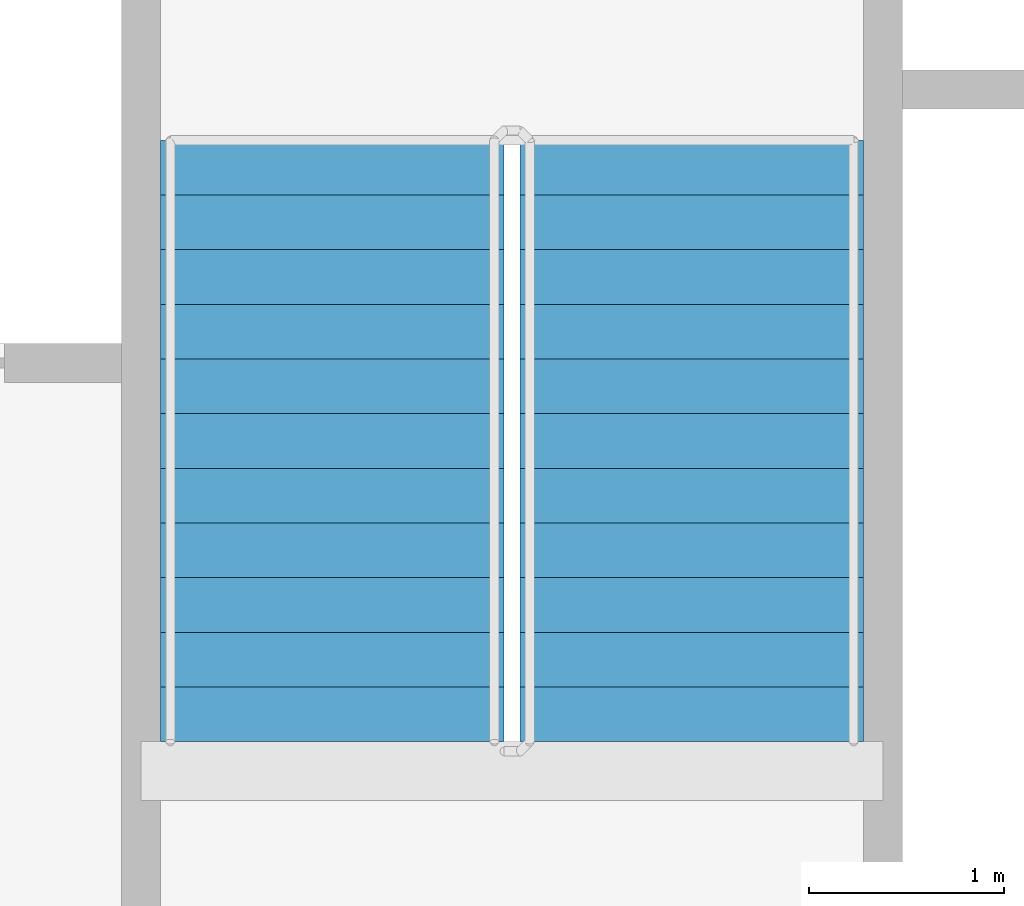
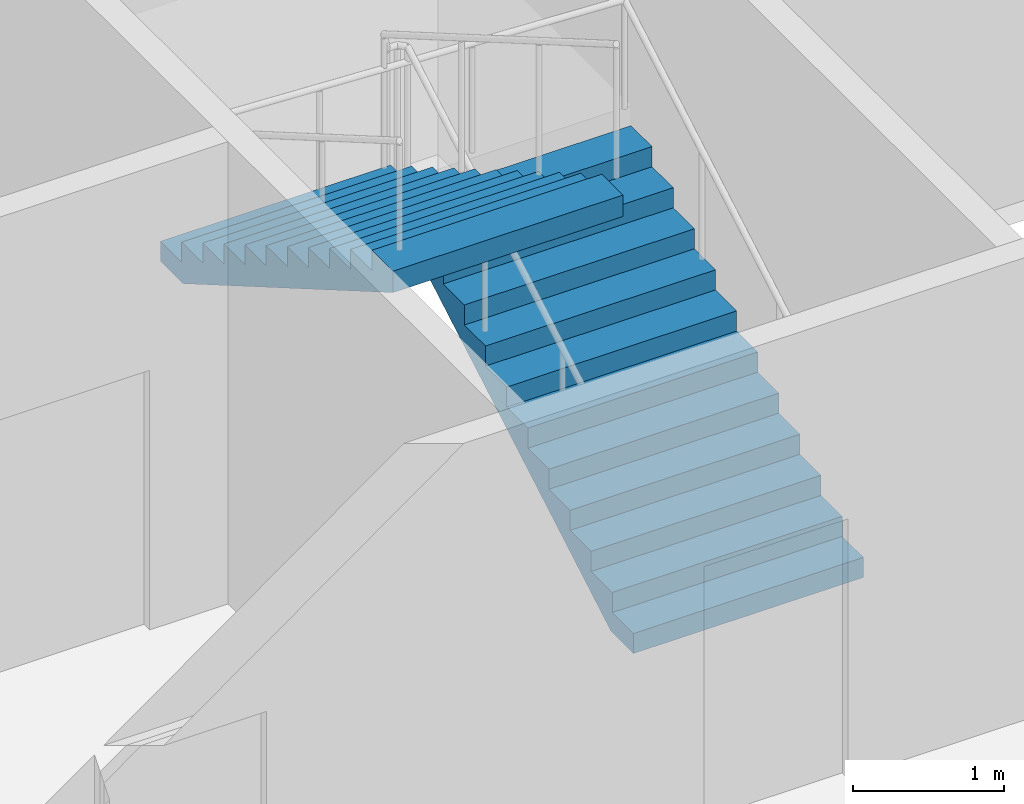
# One storey, part 9 of 14: 2 stair flights, 1 element without a shape of its own.
"""IFC4 building model written with IfcOpenShell, lengths in metres."""

from ifc_helpers import new_model, si_unit, direction, frame, origin, place, context, subcontext, project, spatial, faceted_brep, material, type_object, element, aggregate, save


model = new_model("IFC4")

# Units and contexts
model_context = context("Model", 3, precision=1e-05, world=origin(), true_north=direction((0.0, 1.0)))
body_context = subcontext(model_context, "Body", "Model", "MODEL_VIEW")
ifc_project = project(units=[si_unit("LENGTHUNIT", "METRE"), si_unit("AREAUNIT", "SQUARE_METRE"), si_unit("VOLUMEUNIT", "CUBIC_METRE"), si_unit("PLANEANGLEUNIT", "RADIAN"), si_unit("MASSUNIT", "GRAM", prefix="KILO")], contexts=[model_context])

# Site, building, storey
site_placement = place(None, origin())
site = spatial("IfcSite", under=ifc_project, at=site_placement, CompositionType="ELEMENT")
building_placement = place(site_placement, origin())
building = spatial("IfcBuilding", under=site, at=building_placement, Name="Tarsis Ring Headquarters", CompositionType="ELEMENT")
storey_placement = place(building_placement, frame((0.0, 0.0, 274.699951171875)))
storey = spatial("IfcBuildingStorey", under=building, at=storey_placement, Name="L64", CompositionType="ELEMENT", Elevation=274.699951171875)

# Stair, stair flights
ifc_material_1 = material(Name="Core stair 1760")
stair_type = type_object("IfcStairType", Name="Core stair 1760", PredefinedType="HALF_TURN_STAIR", material=ifc_material_1)
stair_placement = place(storey_placement, origin())
stair = element("IfcStair", 1, at=stair_placement, inside=storey, type_object=stair_type, Name="L64 Exit stair B", PredefinedType="HALF_TURN_STAIR")
ifc_material_2 = material(Name="Concrete C40/50", Category="concrete")
stair_flight_type = type_object("IfcStairFlightType", Name="Core stair flight 1760", PredefinedType="STRAIGHT", material=ifc_material_2)
stair_flight_1_placement = place(storey_placement, frame((5.419921875, 3.659912109375, 0.0), z_axis=(0.0, 0.0, 1.0), x_axis=(0.0, 1.0, 0.0)))
stair_flight_1 = element("IfcStairFlight", 2, at=stair_flight_1_placement, type_object=stair_flight_type, Name="Stair ST2 flight 1", NumberOfRisers=12, NumberOfTreads=11, PredefinedType="STRAIGHT", RiserHeight=0.1625, TreadLength=0.28, context=body_context, shape_type="Brep", body=[
    faceted_brep([(0.0, 0.8798828125, 0.0), (0.0, 0.8798828125, 0.16259765625), (0.280029296875, 0.8798828125, 0.16259765625), (0.280029296875, 0.8798828125, 0.324951171875), (0.56005859375, 0.8798828125, 0.324951171875), (0.56005859375, 0.8798828125, 0.487548828125), (0.840087890625, 0.8798828125, 0.487548828125), (0.840087890625, 0.8798828125, 0.64990234375), (1.1201171875, 0.8798828125, 0.64990234375), (1.1201171875, 0.8798828125, 0.8125), (1.39990234375, 0.8798828125, 0.8125), (1.39990234375, 0.8798828125, 0.97509765625), (1.679931640625, 0.8798828125, 0.97509765625), (1.679931640625, 0.8798828125, 1.137451171875), (1.9599609375, 0.8798828125, 1.137451171875), (1.9599609375, 0.8798828125, 1.300048828125), (2.239990234375, 0.8798828125, 1.300048828125), (2.239990234375, 0.8798828125, 1.46240234375), (2.52001953125, 0.8798828125, 1.46240234375), (2.52001953125, 0.8798828125, 1.625), (2.800048828125, 0.8798828125, 1.625), (2.800048828125, 0.8798828125, 1.78759765625), (3.080078125, 0.8798828125, 1.78759765625), (3.080078125, 0.8798828125, 1.6142578125), (0.298583984375, 0.8798828125, 0.0), (0.298583984375, -0.8798828125, 0.0), (3.080078125, -0.8798828125, 1.6142578125), (3.080078125, -0.8798828125, 1.78759765625), (2.800048828125, -0.8798828125, 1.78759765625), (2.800048828125, -0.8798828125, 1.625), (2.52001953125, -0.8798828125, 1.625), (2.52001953125, -0.8798828125, 1.46240234375), (2.239990234375, -0.8798828125, 1.46240234375), (2.239990234375, -0.8798828125, 1.300048828125), (1.9599609375, -0.8798828125, 1.300048828125), (1.9599609375, -0.8798828125, 1.137451171875), (1.679931640625, -0.8798828125, 1.137451171875), (1.679931640625, -0.8798828125, 0.97509765625), (1.39990234375, -0.8798828125, 0.97509765625), (1.39990234375, -0.8798828125, 0.8125), (1.1201171875, -0.8798828125, 0.8125), (1.1201171875, -0.8798828125, 0.64990234375), (0.840087890625, -0.8798828125, 0.64990234375), (0.840087890625, -0.8798828125, 0.487548828125), (0.56005859375, -0.8798828125, 0.487548828125), (0.56005859375, -0.8798828125, 0.324951171875), (0.280029296875, -0.8798828125, 0.324951171875), (0.280029296875, -0.8798828125, 0.16259765625), (0.0, -0.8798828125, 0.16259765625), (0.0, -0.8798828125, 0.0), (0.0, -0.43994140625, 0.16259765625), (0.0, -0.43994140625, 0.0), (0.0, 0.0, 0.16259765625), (0.0, 0.0, 0.0), (0.0, 0.43994140625, 0.16259765625), (0.0, 0.43994140625, 0.0), (0.280029296875, -0.43994140625, 0.16259765625), (0.280029296875, 0.0, 0.16259765625), (0.280029296875, 0.43994140625, 0.16259765625), (0.280029296875, -0.43994140625, 0.324951171875), (0.280029296875, 0.0, 0.324951171875), (0.280029296875, 0.43994140625, 0.324951171875), (0.56005859375, -0.43994140625, 0.324951171875), (0.56005859375, 0.0, 0.324951171875), (0.56005859375, 0.43994140625, 0.324951171875), (0.56005859375, -0.43994140625, 0.487548828125), (0.56005859375, 0.0, 0.487548828125), (0.56005859375, 0.43994140625, 0.487548828125), (0.840087890625, -0.43994140625, 0.487548828125), (0.840087890625, 0.0, 0.487548828125), (0.840087890625, 0.43994140625, 0.487548828125), (0.840087890625, -0.43994140625, 0.64990234375), (0.840087890625, 0.0, 0.64990234375), (0.840087890625, 0.43994140625, 0.64990234375), (1.1201171875, -0.43994140625, 0.64990234375), (1.1201171875, 0.0, 0.64990234375), (1.1201171875, 0.43994140625, 0.64990234375), (1.1201171875, -0.43994140625, 0.8125), (1.1201171875, 0.0, 0.8125), (1.1201171875, 0.43994140625, 0.8125), (1.39990234375, -0.43994140625, 0.8125), (1.39990234375, 0.0, 0.8125), (1.39990234375, 0.43994140625, 0.8125), (1.39990234375, -0.43994140625, 0.97509765625), (1.39990234375, 0.0, 0.97509765625), (1.39990234375, 0.43994140625, 0.97509765625), (1.679931640625, -0.43994140625, 0.97509765625), (1.679931640625, 0.0, 0.97509765625), (1.679931640625, 0.43994140625, 0.97509765625), (1.679931640625, -0.43994140625, 1.137451171875), (1.679931640625, 0.0, 1.137451171875), (1.679931640625, 0.43994140625, 1.137451171875), (1.9599609375, -0.43994140625, 1.137451171875), (1.9599609375, 0.0, 1.137451171875), (1.9599609375, 0.43994140625, 1.137451171875), (1.9599609375, -0.43994140625, 1.300048828125), (1.9599609375, 0.0, 1.300048828125), (1.9599609375, 0.43994140625, 1.300048828125), (2.239990234375, -0.43994140625, 1.300048828125), (2.239990234375, 0.0, 1.300048828125), (2.239990234375, 0.43994140625, 1.300048828125), (2.239990234375, -0.43994140625, 1.46240234375), (2.239990234375, 0.0, 1.46240234375), (2.239990234375, 0.43994140625, 1.46240234375), (2.52001953125, -0.43994140625, 1.46240234375), (2.52001953125, 0.0, 1.46240234375), (2.52001953125, 0.43994140625, 1.46240234375), (2.52001953125, -0.43994140625, 1.625), (2.52001953125, 0.0, 1.625), (2.52001953125, 0.43994140625, 1.625), (2.800048828125, -0.43994140625, 1.625), (2.800048828125, 0.0, 1.625), (2.800048828125, 0.43994140625, 1.625), (2.800048828125, -0.43994140625, 1.78759765625), (2.800048828125, 0.0, 1.78759765625), (2.800048828125, 0.43994140625, 1.78759765625), (3.080078125, -0.43994140625, 1.78759765625), (3.080078125, 0.0, 1.78759765625), (3.080078125, 0.43994140625, 1.78759765625), (3.080078125, -0.43994140625, 1.6142578125), (3.080078125, 0.0, 1.6142578125), (3.080078125, 0.43994140625, 1.6142578125), (0.298583984375, -0.43994140625, 0.0), (0.298583984375, 0.0, 0.0), (0.298583984375, 0.43994140625, 0.0)], [[[0, 1, 2, 3, 4, 5, 6, 7, 8, 9, 10, 11, 12, 13, 14, 15, 16, 17, 18, 19, 20, 21, 22, 23, 24]], [[25, 26, 27, 28, 29, 30, 31, 32, 33, 34, 35, 36, 37, 38, 39, 40, 41, 42, 43, 44, 45, 46, 47, 48, 49]], [[49, 48, 50, 51]], [[51, 50, 52, 53]], [[53, 52, 54, 55]], [[55, 54, 1, 0]], [[48, 47, 56, 50]], [[50, 56, 57, 52]], [[52, 57, 58, 54]], [[54, 58, 2, 1]], [[47, 46, 59, 56]], [[56, 59, 60, 57]], [[57, 60, 61, 58]], [[58, 61, 3, 2]], [[46, 45, 62, 59]], [[59, 62, 63, 60]], [[60, 63, 64, 61]], [[61, 64, 4, 3]], [[45, 44, 65, 62]], [[62, 65, 66, 63]], [[63, 66, 67, 64]], [[64, 67, 5, 4]], [[44, 43, 68, 65]], [[65, 68, 69, 66]], [[66, 69, 70, 67]], [[67, 70, 6, 5]], [[43, 42, 71, 68]], [[68, 71, 72, 69]], [[69, 72, 73, 70]], [[70, 73, 7, 6]], [[42, 41, 74, 71]], [[71, 74, 75, 72]], [[72, 75, 76, 73]], [[73, 76, 8, 7]], [[41, 40, 77, 74]], [[74, 77, 78, 75]], [[75, 78, 79, 76]], [[76, 79, 9, 8]], [[40, 39, 80, 77]], [[77, 80, 81, 78]], [[78, 81, 82, 79]], [[79, 82, 10, 9]], [[39, 38, 83, 80]], [[80, 83, 84, 81]], [[81, 84, 85, 82]], [[82, 85, 11, 10]], [[38, 37, 86, 83]], [[83, 86, 87, 84]], [[84, 87, 88, 85]], [[85, 88, 12, 11]], [[37, 36, 89, 86]], [[86, 89, 90, 87]], [[87, 90, 91, 88]], [[88, 91, 13, 12]], [[36, 35, 92, 89]], [[89, 92, 93, 90]], [[90, 93, 94, 91]], [[91, 94, 14, 13]], [[35, 34, 95, 92]], [[92, 95, 96, 93]], [[93, 96, 97, 94]], [[94, 97, 15, 14]], [[34, 33, 98, 95]], [[95, 98, 99, 96]], [[96, 99, 100, 97]], [[97, 100, 16, 15]], [[33, 32, 101, 98]], [[98, 101, 102, 99]], [[99, 102, 103, 100]], [[100, 103, 17, 16]], [[32, 31, 104, 101]], [[101, 104, 105, 102]], [[102, 105, 106, 103]], [[103, 106, 18, 17]], [[31, 30, 107, 104]], [[104, 107, 108, 105]], [[105, 108, 109, 106]], [[106, 109, 19, 18]], [[30, 29, 110, 107]], [[107, 110, 111, 108]], [[108, 111, 112, 109]], [[109, 112, 20, 19]], [[29, 28, 113, 110]], [[110, 113, 114, 111]], [[111, 114, 115, 112]], [[112, 115, 21, 20]], [[28, 27, 116, 113]], [[113, 116, 117, 114]], [[114, 117, 118, 115]], [[115, 118, 22, 21]], [[27, 26, 119, 116]], [[116, 119, 120, 117]], [[117, 120, 121, 118]], [[118, 121, 23, 22]], [[26, 25, 122, 119]], [[119, 122, 123, 120]], [[120, 123, 124, 121]], [[121, 124, 24, 23]], [[25, 49, 51, 122]], [[122, 51, 53, 123]], [[123, 53, 55, 124]], [[124, 55, 0, 24]]]),
])
stair_flight_2_placement = place(storey_placement, frame((3.580078125, 6.739990234375, 1.949951171875), z_axis=(0.0, 0.0, 1.0), x_axis=(0.0, -1.0, 0.0)))
stair_flight_2 = element("IfcStairFlight", 3, at=stair_flight_2_placement, type_object=stair_flight_type, Name="Stair ST2 flight 2", NumberOfRisers=12, NumberOfTreads=11, PredefinedType="STRAIGHT", RiserHeight=0.1625, TreadLength=0.28, context=body_context, shape_type="Brep", body=[
    faceted_brep([(0.0, 0.8798828125, 0.0), (0.0, 0.8798828125, 0.16259765625), (0.280029296875, 0.8798828125, 0.16259765625), (0.280029296875, 0.8798828125, 0.324951171875), (0.56005859375, 0.8798828125, 0.324951171875), (0.56005859375, 0.8798828125, 0.487548828125), (0.840087890625, 0.8798828125, 0.487548828125), (0.840087890625, 0.8798828125, 0.64990234375), (1.1201171875, 0.8798828125, 0.64990234375), (1.1201171875, 0.8798828125, 0.8125), (1.39990234375, 0.8798828125, 0.8125), (1.39990234375, 0.8798828125, 0.97509765625), (1.679931640625, 0.8798828125, 0.97509765625), (1.679931640625, 0.8798828125, 1.137451171875), (1.9599609375, 0.8798828125, 1.137451171875), (1.9599609375, 0.8798828125, 1.300048828125), (2.239990234375, 0.8798828125, 1.300048828125), (2.239990234375, 0.8798828125, 1.46240234375), (2.52001953125, 0.8798828125, 1.46240234375), (2.52001953125, 0.8798828125, 1.625), (2.800048828125, 0.8798828125, 1.625), (2.800048828125, 0.8798828125, 1.78759765625), (3.080078125, 0.8798828125, 1.78759765625), (3.080078125, 0.8798828125, 1.6142578125), (0.298583984375, 0.8798828125, 0.0), (0.298583984375, -0.8798828125, 0.0), (3.080078125, -0.8798828125, 1.6142578125), (3.080078125, -0.8798828125, 1.78759765625), (2.800048828125, -0.8798828125, 1.78759765625), (2.800048828125, -0.8798828125, 1.625), (2.52001953125, -0.8798828125, 1.625), (2.52001953125, -0.8798828125, 1.46240234375), (2.239990234375, -0.8798828125, 1.46240234375), (2.239990234375, -0.8798828125, 1.300048828125), (1.9599609375, -0.8798828125, 1.300048828125), (1.9599609375, -0.8798828125, 1.137451171875), (1.679931640625, -0.8798828125, 1.137451171875), (1.679931640625, -0.8798828125, 0.97509765625), (1.39990234375, -0.8798828125, 0.97509765625), (1.39990234375, -0.8798828125, 0.8125), (1.1201171875, -0.8798828125, 0.8125), (1.1201171875, -0.8798828125, 0.64990234375), (0.840087890625, -0.8798828125, 0.64990234375), (0.840087890625, -0.8798828125, 0.487548828125), (0.56005859375, -0.8798828125, 0.487548828125), (0.56005859375, -0.8798828125, 0.324951171875), (0.280029296875, -0.8798828125, 0.324951171875), (0.280029296875, -0.8798828125, 0.16259765625), (0.0, -0.8798828125, 0.16259765625), (0.0, -0.8798828125, 0.0), (0.0, -0.43994140625, 0.16259765625), (0.0, -0.43994140625, 0.0), (0.0, 0.0, 0.16259765625), (0.0, 0.0, 0.0), (0.0, 0.43994140625, 0.16259765625), (0.0, 0.43994140625, 0.0), (0.280029296875, -0.43994140625, 0.16259765625), (0.280029296875, 0.0, 0.16259765625), (0.280029296875, 0.43994140625, 0.16259765625), (0.280029296875, -0.43994140625, 0.324951171875), (0.280029296875, 0.0, 0.324951171875), (0.280029296875, 0.43994140625, 0.324951171875), (0.56005859375, -0.43994140625, 0.324951171875), (0.56005859375, 0.0, 0.324951171875), (0.56005859375, 0.43994140625, 0.324951171875), (0.56005859375, -0.43994140625, 0.487548828125), (0.56005859375, 0.0, 0.487548828125), (0.56005859375, 0.43994140625, 0.487548828125), (0.840087890625, -0.43994140625, 0.487548828125), (0.840087890625, 0.0, 0.487548828125), (0.840087890625, 0.43994140625, 0.487548828125), (0.840087890625, -0.43994140625, 0.64990234375), (0.840087890625, 0.0, 0.64990234375), (0.840087890625, 0.43994140625, 0.64990234375), (1.1201171875, -0.43994140625, 0.64990234375), (1.1201171875, 0.0, 0.64990234375), (1.1201171875, 0.43994140625, 0.64990234375), (1.1201171875, -0.43994140625, 0.8125), (1.1201171875, 0.0, 0.8125), (1.1201171875, 0.43994140625, 0.8125), (1.39990234375, -0.43994140625, 0.8125), (1.39990234375, 0.0, 0.8125), (1.39990234375, 0.43994140625, 0.8125), (1.39990234375, -0.43994140625, 0.97509765625), (1.39990234375, 0.0, 0.97509765625), (1.39990234375, 0.43994140625, 0.97509765625), (1.679931640625, -0.43994140625, 0.97509765625), (1.679931640625, 0.0, 0.97509765625), (1.679931640625, 0.43994140625, 0.97509765625), (1.679931640625, -0.43994140625, 1.137451171875), (1.679931640625, 0.0, 1.137451171875), (1.679931640625, 0.43994140625, 1.137451171875), (1.9599609375, -0.43994140625, 1.137451171875), (1.9599609375, 0.0, 1.137451171875), (1.9599609375, 0.43994140625, 1.137451171875), (1.9599609375, -0.43994140625, 1.300048828125), (1.9599609375, 0.0, 1.300048828125), (1.9599609375, 0.43994140625, 1.300048828125), (2.239990234375, -0.43994140625, 1.300048828125), (2.239990234375, 0.0, 1.300048828125), (2.239990234375, 0.43994140625, 1.300048828125), (2.239990234375, -0.43994140625, 1.46240234375), (2.239990234375, 0.0, 1.46240234375), (2.239990234375, 0.43994140625, 1.46240234375), (2.52001953125, -0.43994140625, 1.46240234375), (2.52001953125, 0.0, 1.46240234375), (2.52001953125, 0.43994140625, 1.46240234375), (2.52001953125, -0.43994140625, 1.625), (2.52001953125, 0.0, 1.625), (2.52001953125, 0.43994140625, 1.625), (2.800048828125, -0.43994140625, 1.625), (2.800048828125, 0.0, 1.625), (2.800048828125, 0.43994140625, 1.625), (2.800048828125, -0.43994140625, 1.78759765625), (2.800048828125, 0.0, 1.78759765625), (2.800048828125, 0.43994140625, 1.78759765625), (3.080078125, -0.43994140625, 1.78759765625), (3.080078125, 0.0, 1.78759765625), (3.080078125, 0.43994140625, 1.78759765625), (3.080078125, -0.43994140625, 1.6142578125), (3.080078125, 0.0, 1.6142578125), (3.080078125, 0.43994140625, 1.6142578125), (0.298583984375, -0.43994140625, 0.0), (0.298583984375, 0.0, 0.0), (0.298583984375, 0.43994140625, 0.0)], [[[0, 1, 2, 3, 4, 5, 6, 7, 8, 9, 10, 11, 12, 13, 14, 15, 16, 17, 18, 19, 20, 21, 22, 23, 24]], [[25, 26, 27, 28, 29, 30, 31, 32, 33, 34, 35, 36, 37, 38, 39, 40, 41, 42, 43, 44, 45, 46, 47, 48, 49]], [[49, 48, 50, 51]], [[51, 50, 52, 53]], [[53, 52, 54, 55]], [[55, 54, 1, 0]], [[48, 47, 56, 50]], [[50, 56, 57, 52]], [[52, 57, 58, 54]], [[54, 58, 2, 1]], [[47, 46, 59, 56]], [[56, 59, 60, 57]], [[57, 60, 61, 58]], [[58, 61, 3, 2]], [[46, 45, 62, 59]], [[59, 62, 63, 60]], [[60, 63, 64, 61]], [[61, 64, 4, 3]], [[45, 44, 65, 62]], [[62, 65, 66, 63]], [[63, 66, 67, 64]], [[64, 67, 5, 4]], [[44, 43, 68, 65]], [[65, 68, 69, 66]], [[66, 69, 70, 67]], [[67, 70, 6, 5]], [[43, 42, 71, 68]], [[68, 71, 72, 69]], [[69, 72, 73, 70]], [[70, 73, 7, 6]], [[42, 41, 74, 71]], [[71, 74, 75, 72]], [[72, 75, 76, 73]], [[73, 76, 8, 7]], [[41, 40, 77, 74]], [[74, 77, 78, 75]], [[75, 78, 79, 76]], [[76, 79, 9, 8]], [[40, 39, 80, 77]], [[77, 80, 81, 78]], [[78, 81, 82, 79]], [[79, 82, 10, 9]], [[39, 38, 83, 80]], [[80, 83, 84, 81]], [[81, 84, 85, 82]], [[82, 85, 11, 10]], [[38, 37, 86, 83]], [[83, 86, 87, 84]], [[84, 87, 88, 85]], [[85, 88, 12, 11]], [[37, 36, 89, 86]], [[86, 89, 90, 87]], [[87, 90, 91, 88]], [[88, 91, 13, 12]], [[36, 35, 92, 89]], [[89, 92, 93, 90]], [[90, 93, 94, 91]], [[91, 94, 14, 13]], [[35, 34, 95, 92]], [[92, 95, 96, 93]], [[93, 96, 97, 94]], [[94, 97, 15, 14]], [[34, 33, 98, 95]], [[95, 98, 99, 96]], [[96, 99, 100, 97]], [[97, 100, 16, 15]], [[33, 32, 101, 98]], [[98, 101, 102, 99]], [[99, 102, 103, 100]], [[100, 103, 17, 16]], [[32, 31, 104, 101]], [[101, 104, 105, 102]], [[102, 105, 106, 103]], [[103, 106, 18, 17]], [[31, 30, 107, 104]], [[104, 107, 108, 105]], [[105, 108, 109, 106]], [[106, 109, 19, 18]], [[30, 29, 110, 107]], [[107, 110, 111, 108]], [[108, 111, 112, 109]], [[109, 112, 20, 19]], [[29, 28, 113, 110]], [[110, 113, 114, 111]], [[111, 114, 115, 112]], [[112, 115, 21, 20]], [[28, 27, 116, 113]], [[113, 116, 117, 114]], [[114, 117, 118, 115]], [[115, 118, 22, 21]], [[27, 26, 119, 116]], [[116, 119, 120, 117]], [[117, 120, 121, 118]], [[118, 121, 23, 22]], [[26, 25, 122, 119]], [[119, 122, 123, 120]], [[120, 123, 124, 121]], [[121, 124, 24, 23]], [[25, 49, 51, 122]], [[122, 51, 53, 123]], [[123, 53, 55, 124]], [[124, 55, 0, 24]]]),
])
aggregate(stair, [stair_flight_1, stair_flight_2])

save(model, "model.ifc")
